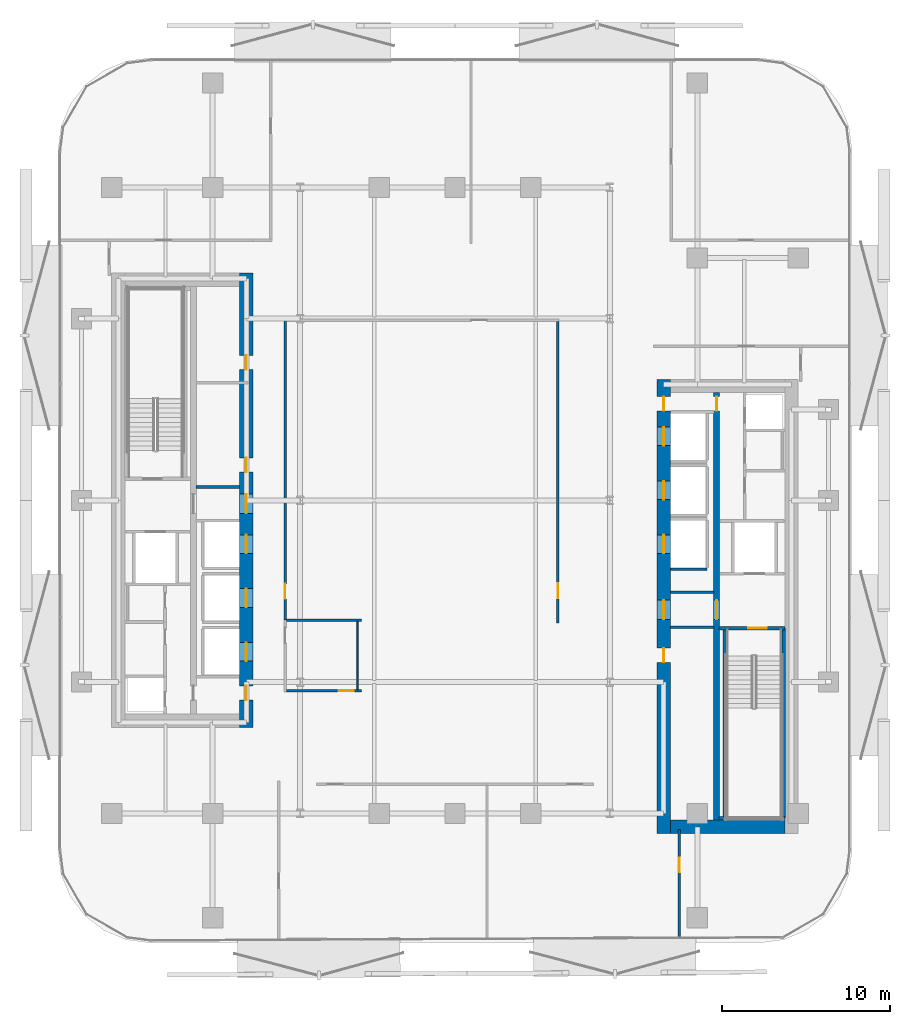
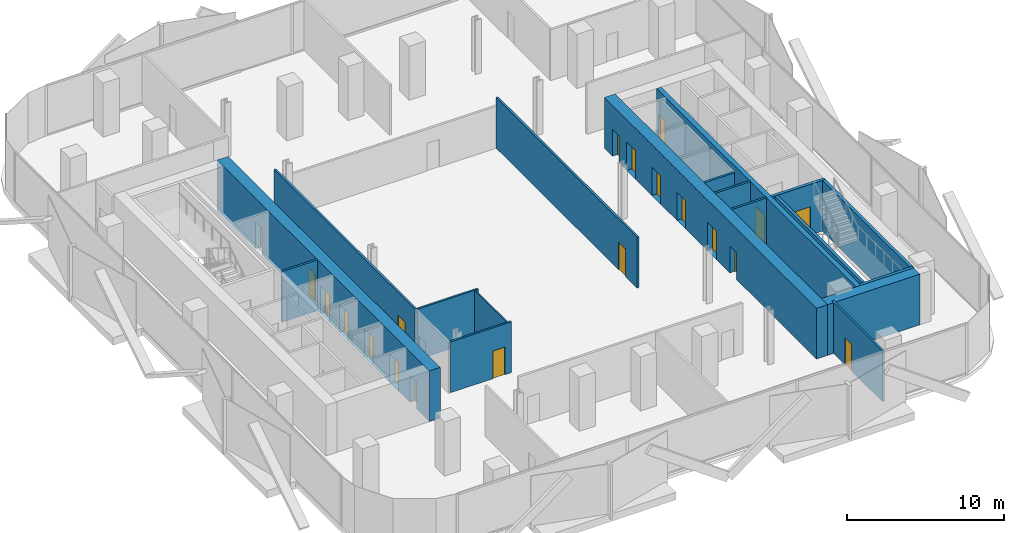
# One storey, part 4 of 15: 20 doors, 18 walls, 20 openings.
"""IFC4 building model written with IfcOpenShell, lengths in metres."""

from ifc_helpers import new_model, si_unit, direction, frame, frame_2d, origin, place, context, subcontext, project, spatial, rectangle, extrude, material, layer, layer_set, type_object, element, fill, save


model = new_model("IFC4")

# Units and contexts
model_context = context("Model", 3, precision=1e-05, world=origin(), true_north=direction((0.0, 1.0)))
body_context = subcontext(model_context, "Body", "Model", "MODEL_VIEW")
ifc_project = project(units=[si_unit("LENGTHUNIT", "METRE"), si_unit("AREAUNIT", "SQUARE_METRE"), si_unit("VOLUMEUNIT", "CUBIC_METRE"), si_unit("PLANEANGLEUNIT", "RADIAN"), si_unit("MASSUNIT", "GRAM", prefix="KILO")], contexts=[model_context])

# Site, building, storey
site_placement = place(None, origin())
site = spatial("IfcSite", under=ifc_project, at=site_placement, CompositionType="ELEMENT")
building_placement = place(site_placement, origin())
building = spatial("IfcBuilding", under=site, at=building_placement, Name="Khairoan Windgate Tower", CompositionType="ELEMENT")
storey_placement = place(building_placement, frame((0.0, 0.0, 143.60009765625)))
storey = spatial("IfcBuildingStorey", under=building, at=storey_placement, Name="L33", CompositionType="ELEMENT", Elevation=143.60009765625)

# Walls
ifc_material_1 = material(Name="Moisture-Resistant Gypsum Partition", Category="gypsum")
ifc_layer_1 = layer(ifc_material_1, 0.10009765625, Name="Moisture-Resistant Gypsum Partition")
ifc_layer_set_1 = layer_set([ifc_layer_1], Name="Moisture-Resistant Gypsum Partition")
wall_type_1 = type_object("IfcWallType", Name="Bathroom Wet-Area Partition Wall", PredefinedType="PARTITIONING", material=ifc_layer_set_1)
wall_1_placement = place(storey_placement, frame((-5.800048828125, -7.18994140625, 0.0), z_axis=(0.0, 0.0, 1.0), x_axis=(0.0, -1.0, 0.0)))
element("IfcWall", 1, at=wall_1_placement, inside=storey, type_object=wall_type_1, Name="L33 Wet Room Side Wall 036", PredefinedType="PARTITIONING", context=body_context, shape_type="SweptSolid", body=[
    extrude(rectangle(XDim=4.05517578125, YDim=0.10009765625, at=frame_2d((2.027587890625, 0.0))), origin(), (0.0, 0.0, 1.0), 3.93994140625),
])
ifc_material_2 = material(Name="Concrete C40/50", Category="concrete")
ifc_layer_2 = layer(ifc_material_2, 0.159912109375, Name="Concrete C40/50")
ifc_layer_set_2 = layer_set([ifc_layer_2], Name="Concrete C40/50")
wall_type_2 = type_object("IfcWallType", Name="Core and Hoistway Enclosure Wall", PredefinedType="STANDARD", material=ifc_layer_set_2)
wall_2_placement = place(storey_placement, frame((12.800048828125, -4.090087890625, 0.0), z_axis=(0.0, 0.0, 1.0), x_axis=(1.0, 0.0, 0.0)))
element("IfcWall", 2, at=wall_2_placement, inside=storey, type_object=wall_type_2, Name="L33 Lift PL9 Hoistway Divider S", PredefinedType="STANDARD", context=body_context, shape_type="SweptSolid", body=[
    extrude(rectangle(XDim=2.18994140625, YDim=0.159912109375, at=frame_2d((1.094970703125, 0.0))), origin(), (0.0, 0.0, 1.0), 3.93994140625),
])
for number, where, z_axis, x_axis, name in (
    (3, (-15.39990234375, 0.800048828125, 0.0), (0.0, 0.0, 1.0), (1.0, 0.0, 0.0), "L33 Core Shaft Wall SW-WV1-L33"),
    (4, (12.800048828125, -5.449951171875, 0.0), (0.0, 0.0, 1.0), (1.0, 0.0, 0.0), "L33 Core Shaft Wall SW-EV1-L33"),
    (5, (12.800048828125, -7.5400390625, 0.0), (0.0, 0.0, 1.0), (1.0, 0.0, 0.0), "L33 Core Shaft Wall SW-EV2-L33"),
):
    element("IfcWall", number, at=place(storey_placement, frame(where, z_axis=z_axis, x_axis=x_axis)), inside=storey, type_object=wall_type_2, Name=name, PredefinedType="STANDARD", context=body_context, shape_type="SweptSolid", body=[
        extrude(rectangle(XDim=2.599853515625, YDim=0.159912109375, at=frame_2d((1.2998046875, 0.0))), origin(), (0.0, 0.0, 1.0), 3.93994140625),
    ])

# Wall, opening, door
ifc_material_3 = material(Name="Acoustic Fire-Rated Gypsum Partition", Category="gypsum")
ifc_layer_3 = layer(ifc_material_3, 0.139892578125, Name="Acoustic Fire-Rated Gypsum Partition")
ifc_layer_set_3 = layer_set([ifc_layer_3], Name="Acoustic Fire-Rated Gypsum Partition")
wall_type_3 = type_object("IfcWallType", Name="Inter-Tenancy Compartment Wall", PredefinedType="PARTITIONING", material=ifc_layer_set_3)
wall_3_placement = place(storey_placement, frame((13.327880859375, -26.001220703125, 0.0), z_axis=(0.0, 0.0, 1.0), x_axis=(0.0, 1.0, 0.0)))
wall_3 = element("IfcWall", 6, at=wall_3_placement, inside=storey, type_object=wall_type_3, Name="L33 Interior Partition 032", PredefinedType="PARTITIONING", context=body_context, shape_type="SweptSolid", body=[
    extrude(rectangle(XDim=6.441162109375, YDim=0.139892578125, at=frame_2d((3.220703125, 0.0))), origin(), (0.0, 0.0, 1.0), 3.93994140625),
])
opening_1_placement = place(wall_3_placement, frame((3.91259765625, 0.0, 0.0)))
opening_1 = element("IfcOpeningElement", 7, at=opening_1_placement, cuts=wall_3, Name="Opening FD-SRV", PredefinedType="OPENING", context=body_context, shape_type="SweptSolid", body=[
    extrude(rectangle(XDim=0.85009765625, YDim=2.10009765625, at=frame_2d((0.425048828125, 1.050048828125))), frame((0.0, 0.079833984375, 0.0), z_axis=(0.0, -1.0, 0.0), x_axis=(1.0, 0.0, 0.0)), (0.0, 0.0, 1.0), 0.159912109375),
])
ifc_material_4 = material(Name="Steel S355", Category="steel")
door_type_1 = type_object("IfcDoorType", Name="Core Service and Riser Fire Door FD-SRV 850x2100", OperationType="NOTDEFINED", PredefinedType="DOOR", material=ifc_material_4)
door_1_placement = place(opening_1_placement, origin())
door_1 = element("IfcDoor", 8, at=door_1_placement, inside=storey, type_object=door_type_1, Name="L33 L33-46-L33-47 Door", OperationType="SINGLE_SWING_RIGHT", OverallHeight=2.10009765625, OverallWidth=0.85009765625, PredefinedType="DOOR", context=body_context, shape_type="SweptSolid", body=[
    extrude(rectangle(XDim=0.85009765625, YDim=2.10009765625, at=frame_2d((0.425048828125, 1.050048828125))), frame((0.0, 0.02490234375, 0.0), z_axis=(0.0, -1.0, 0.0), x_axis=(1.0, 0.0, 0.0)), (0.0, 0.0, 1.0), 0.050048828125),
])
fill(opening_1, door_1)

# Wall
wall_4_placement = place(storey_placement, frame((-10.02490234375, -7.1201171875, 0.0), z_axis=(0.0, 0.0, 1.0), x_axis=(1.0, 0.0, 0.0)))
element("IfcWall", 9, at=wall_4_placement, inside=storey, type_object=wall_type_3, Name="L33 Interior Partition 033", PredefinedType="PARTITIONING", context=body_context, shape_type="SweptSolid", body=[
    extrude(rectangle(XDim=4.46484375, YDim=0.139892578125, at=frame_2d((2.232421875, 0.0))), origin(), (0.0, 0.0, 1.0), 3.93994140625),
])

# Wall, opening, door
ifc_material_5 = material(Name="Acoustic Fire-Rated Gypsum Partition", Category="gypsum")
ifc_layer_4 = layer(ifc_material_5, 0.14990234375, Name="Acoustic Fire-Rated Gypsum Partition")
ifc_layer_set_4 = layer_set([ifc_layer_4], Name="Acoustic Fire-Rated Gypsum Partition")
wall_type_4 = type_object("IfcWallType", Name="Rated Corridor Partition Wall", PredefinedType="PARTITIONING", material=ifc_layer_set_4)
wall_5_placement = place(storey_placement, frame((-10.10009765625, -7.1201171875, 0.0), z_axis=(0.0, 0.0, 1.0), x_axis=(0.0, 1.0, 0.0)))
wall_5 = element("IfcWall", 10, at=wall_5_placement, inside=storey, type_object=wall_type_4, Name="L33 Interior Partition 014", PredefinedType="PARTITIONING", context=body_context, shape_type="SweptSolid", body=[
    extrude(rectangle(XDim=17.9150390625, YDim=0.14990234375, at=frame_2d((8.95751953125, 0.0))), origin(), (0.0, 0.0, 1.0), 3.93994140625),
])
opening_2_placement = place(wall_5_placement, frame((1.264892578125, 0.0, 0.0)))
opening_2 = element("IfcOpeningElement", 11, at=opening_2_placement, cuts=wall_5, Name="Opening FD-ENT", PredefinedType="OPENING", context=body_context, shape_type="SweptSolid", body=[
    extrude(rectangle(XDim=0.89990234375, YDim=2.14990234375, at=frame_2d((0.449951171875, 1.074951171875))), frame((0.0, 0.0849609375, 0.0), z_axis=(0.0, -1.0, 0.0), x_axis=(1.0, 0.0, 0.0)), (0.0, 0.0, 1.0), 0.169921875),
])
ifc_material_6 = material(Name="Timber Fire-Rated Core", Category="wood")
door_type_2 = type_object("IfcDoorType", Name="Unit and Office Fire Entrance Door FD-ENT 900x2150", OperationType="NOTDEFINED", PredefinedType="DOOR", material=ifc_material_6)
door_2_placement = place(opening_2_placement, origin())
door_2 = element("IfcDoor", 12, at=door_2_placement, inside=storey, type_object=door_type_2, Name="L33 L33-28-L33-49 Door", OperationType="SINGLE_SWING_RIGHT", OverallHeight=2.14990234375, OverallWidth=0.89990234375, PredefinedType="DOOR", context=body_context, shape_type="SweptSolid", body=[
    extrude(rectangle(XDim=0.89990234375, YDim=2.14990234375, at=frame_2d((0.449951171875, 1.074951171875))), frame((0.0, 0.02490234375, 0.0), z_axis=(0.0, -1.0, 0.0), x_axis=(1.0, 0.0, 0.0)), (0.0, 0.0, 1.0), 0.050048828125),
])
fill(opening_2, door_2)

wall_6_placement = place(storey_placement, frame((-10.02490234375, -11.320068359375, 0.0), z_axis=(0.0, 0.0, 1.0), x_axis=(1.0, 0.0, 0.0)))
wall_6 = element("IfcWall", 13, at=wall_6_placement, inside=storey, type_object=wall_type_4, Name="L33 Interior Partition 016", PredefinedType="PARTITIONING", context=body_context, shape_type="SweptSolid", body=[
    extrude(rectangle(XDim=4.46484375, YDim=0.14990234375, at=frame_2d((2.232421875, 0.0))), origin(), (0.0, 0.0, 1.0), 3.93994140625),
])
opening_3_placement = place(wall_6_placement, frame((3.10498046875, 0.0, 0.0)))
opening_3 = element("IfcOpeningElement", 14, at=opening_3_placement, cuts=wall_6, Name="Opening FD-ENT", PredefinedType="OPENING", context=body_context, shape_type="SweptSolid", body=[
    extrude(rectangle(XDim=0.89990234375, YDim=2.14990234375, at=frame_2d((0.449951171875, 1.074951171875))), frame((0.0, 0.0849609375, 0.0), z_axis=(0.0, -1.0, 0.0), x_axis=(1.0, 0.0, 0.0)), (0.0, 0.0, 1.0), 0.169921875),
])
door_3_placement = place(opening_3_placement, origin())
door_3 = element("IfcDoor", 15, at=door_3_placement, inside=storey, type_object=door_type_2, Name="L33 L33-31-L33-48 Door", OperationType="SINGLE_SWING_RIGHT", OverallHeight=2.14990234375, OverallWidth=0.89990234375, PredefinedType="DOOR", context=body_context, shape_type="SweptSolid", body=[
    extrude(rectangle(XDim=0.89990234375, YDim=2.14990234375, at=frame_2d((0.449951171875, 1.074951171875))), frame((0.0, 0.02490234375, 0.0), z_axis=(0.0, -1.0, 0.0), x_axis=(1.0, 0.0, 0.0)), (0.0, 0.0, 1.0), 0.050048828125),
])
fill(opening_3, door_3)

wall_7_placement = place(storey_placement, frame((6.1201171875, -7.280029296875, 0.0), z_axis=(0.0, 0.0, 1.0), x_axis=(0.0, 1.0, 0.0)))
wall_7 = element("IfcWall", 16, at=wall_7_placement, inside=storey, type_object=wall_type_4, Name="L33 Interior Partition 017", PredefinedType="PARTITIONING", context=body_context, shape_type="SweptSolid", body=[
    extrude(rectangle(XDim=17.925048828125, YDim=0.14990234375, at=frame_2d((8.96240234375, 0.0))), origin(), (0.0, 0.0, 1.0), 3.93994140625),
])
opening_4_placement = place(wall_7_placement, frame((1.466552734375, 0.0, 0.0)))
opening_4 = element("IfcOpeningElement", 17, at=opening_4_placement, cuts=wall_7, Name="Opening FD-ENT", PredefinedType="OPENING", context=body_context, shape_type="SweptSolid", body=[
    extrude(rectangle(XDim=0.89990234375, YDim=2.14990234375, at=frame_2d((0.449951171875, 1.074951171875))), frame((0.0, 0.0849609375, 0.0), z_axis=(0.0, -1.0, 0.0), x_axis=(1.0, 0.0, 0.0)), (0.0, 0.0, 1.0), 0.169921875),
])
door_4_placement = place(opening_4_placement, origin())
door_4 = element("IfcDoor", 18, at=door_4_placement, inside=storey, type_object=door_type_2, Name="L33 L33-32-L33-49 Door", OperationType="SINGLE_SWING_LEFT", OverallHeight=2.14990234375, OverallWidth=0.89990234375, PredefinedType="DOOR", context=body_context, shape_type="SweptSolid", body=[
    extrude(rectangle(XDim=0.89990234375, YDim=2.14990234375, at=frame_2d((0.449951171875, 1.074951171875))), frame((0.0, 0.02490234375, 0.0), z_axis=(0.0, -1.0, 0.0), x_axis=(1.0, 0.0, 0.0)), (0.0, 0.0, 1.0), 0.050048828125),
])
fill(opening_4, door_4)

# Wall, openings, doors
ifc_material_7 = material(Name="Concrete C70/85", Category="concrete")
ifc_layer_5 = layer(ifc_material_7, 0.800048828125, Name="Concrete C70/85")
ifc_layer_set_5 = layer_set([ifc_layer_5], Name="Concrete C70/85")
wall_type_5 = type_object("IfcWallType", Name="Shear Wall CW-E1 800mm", PredefinedType="SHEAR", material=ifc_layer_set_5)
wall_8_placement = place(storey_placement, frame((12.39990234375, -19.800048828125, 0.0), z_axis=(0.0, 0.0, 1.0), x_axis=(0.0, 1.0, 0.0)))
wall_8 = element("IfcWall", 19, at=wall_8_placement, inside=storey, type_object=wall_type_5, Name="E Core West Shear Wall L33", PredefinedType="SHEAR", context=body_context, shape_type="SweptSolid", body=[
    extrude(rectangle(XDim=27.0, YDim=0.800048828125, at=frame_2d((13.5, 0.0))), origin(), (0.0, 0.0, 1.0), 3.93994140625),
])
opening_5_placement = place(wall_8_placement, frame((23.050048828125, 0.0, 0.0)))
opening_5 = element("IfcOpeningElement", 20, at=opening_5_placement, cuts=wall_8, Name="Opening LD-PL", PredefinedType="OPENING", context=body_context, shape_type="SweptSolid", body=[
    extrude(rectangle(XDim=1.10009765625, YDim=2.199951171875, at=frame_2d((0.550048828125, 1.10009765625))), frame((0.0, 0.409912109375, 0.0), z_axis=(0.0, -1.0, 0.0), x_axis=(1.0, 0.0, 0.0)), (0.0, 0.0, 1.0), 0.820068359375),
])
opening_6_placement = place(wall_8_placement, frame((19.85009765625, 0.0, 0.0)))
opening_6 = element("IfcOpeningElement", 21, at=opening_6_placement, cuts=wall_8, Name="Opening LD-PL", PredefinedType="OPENING", context=body_context, shape_type="SweptSolid", body=[
    extrude(rectangle(XDim=1.10009765625, YDim=2.199951171875, at=frame_2d((0.550048828125, 1.10009765625))), frame((0.0, 0.409912109375, 0.0), z_axis=(0.0, -1.0, 0.0), x_axis=(1.0, 0.0, 0.0)), (0.0, 0.0, 1.0), 0.820068359375),
])
opening_7_placement = place(wall_8_placement, frame((16.64990234375, 0.0, 0.0)))
opening_7 = element("IfcOpeningElement", 22, at=opening_7_placement, cuts=wall_8, Name="Opening LD-PL", PredefinedType="OPENING", context=body_context, shape_type="SweptSolid", body=[
    extrude(rectangle(XDim=1.10009765625, YDim=2.199951171875, at=frame_2d((0.550048828125, 1.10009765625))), frame((0.0, 0.409912109375, 0.0), z_axis=(0.0, -1.0, 0.0), x_axis=(1.0, 0.0, 0.0)), (0.0, 0.0, 1.0), 0.820068359375),
])
opening_8_placement = place(wall_8_placement, frame((10.175048828125, 0.0, 0.0)))
opening_8 = element("IfcOpeningElement", 23, at=opening_8_placement, cuts=wall_8, Name="Opening FD-SRV", PredefinedType="OPENING", context=body_context, shape_type="SweptSolid", body=[
    extrude(rectangle(XDim=0.85009765625, YDim=2.10009765625, at=frame_2d((0.425048828125, 1.050048828125))), frame((0.0, 0.409912109375, 0.0), z_axis=(0.0, -1.0, 0.0), x_axis=(1.0, 0.0, 0.0)), (0.0, 0.0, 1.0), 0.820068359375),
])
opening_9_placement = place(wall_8_placement, frame((12.72509765625, 0.0, 0.0)))
opening_9 = element("IfcOpeningElement", 24, at=opening_9_placement, cuts=wall_8, Name="Opening FD-FFL", PredefinedType="OPENING", context=body_context, shape_type="SweptSolid", body=[
    extrude(rectangle(XDim=1.14990234375, YDim=2.199951171875, at=frame_2d((0.574951171875, 1.10009765625))), frame((0.0, 0.409912109375, 0.0), z_axis=(0.0, -1.0, 0.0), x_axis=(1.0, 0.0, 0.0)), (0.0, 0.0, 1.0), 0.820068359375),
])
opening_10_placement = place(wall_8_placement, frame((25.125, 0.0, 0.0)))
opening_10 = element("IfcOpeningElement", 25, at=opening_10_placement, cuts=wall_8, Name="Opening FD-SRV", PredefinedType="OPENING", context=body_context, shape_type="SweptSolid", body=[
    extrude(rectangle(XDim=0.85009765625, YDim=2.10009765625, at=frame_2d((0.425048828125, 1.050048828125))), frame((0.0, 0.409912109375, 0.0), z_axis=(0.0, -1.0, 0.0), x_axis=(1.0, 0.0, 0.0)), (0.0, 0.0, 1.0), 0.820068359375),
])
door_5_placement = place(opening_8_placement, origin())
door_5 = element("IfcDoor", 26, at=door_5_placement, inside=storey, type_object=door_type_1, Name="L33 East Core Service Room Door 1", OperationType="SINGLE_SWING_LEFT", OverallHeight=2.10009765625, OverallWidth=0.85009765625, PredefinedType="DOOR", context=body_context, shape_type="SweptSolid", body=[
    extrude(rectangle(XDim=0.85009765625, YDim=2.10009765625, at=frame_2d((0.425048828125, 1.050048828125))), frame((0.0, 0.02490234375, 0.0), z_axis=(0.0, -1.0, 0.0), x_axis=(1.0, 0.0, 0.0)), (0.0, 0.0, 1.0), 0.050048828125),
])
fill(opening_8, door_5)
door_6_placement = place(opening_10_placement, origin())
door_6 = element("IfcDoor", 27, at=door_6_placement, inside=storey, type_object=door_type_1, Name="L33 East Core Service Vestibule Outer Door", OperationType="SINGLE_SWING_RIGHT", OverallHeight=2.10009765625, OverallWidth=0.85009765625, PredefinedType="DOOR", context=body_context, shape_type="SweptSolid", body=[
    extrude(rectangle(XDim=0.85009765625, YDim=2.10009765625, at=frame_2d((0.425048828125, 1.050048828125))), frame((0.0, 0.02490234375, 0.0), z_axis=(0.0, -1.0, 0.0), x_axis=(1.0, 0.0, 0.0)), (0.0, 0.0, 1.0), 0.050048828125),
])
fill(opening_10, door_6)
ifc_material_8 = material(Name="Steel S355", Category="steel")
door_type_3 = type_object("IfcDoorType", Name="Firefighting Lobby Fire Door FD-FFL 1150x2200", OperationType="NOTDEFINED", PredefinedType="DOOR", material=ifc_material_8)
door_7_placement = place(opening_9_placement, origin())
door_7 = element("IfcDoor", 28, at=door_7_placement, inside=storey, type_object=door_type_3, Name="L33 East Core Vestibule Entry Door", OperationType="SINGLE_SWING_RIGHT", OverallHeight=2.199951171875, OverallWidth=1.14990234375, PredefinedType="DOOR", context=body_context, shape_type="SweptSolid", body=[
    extrude(rectangle(XDim=1.14990234375, YDim=2.199951171875, at=frame_2d((0.574951171875, 1.10009765625))), frame((0.0, 0.02490234375, 0.0), z_axis=(0.0, -1.0, 0.0), x_axis=(1.0, 0.0, 0.0)), (0.0, 0.0, 1.0), 0.050048828125),
])
fill(opening_9, door_7)
ifc_material_9 = material(Name="Anodised Bronze Aluminium 6063-T6", Category="aluminium")
door_type_4 = type_object("IfcDoorType", Name="Passenger Lift Sliding Landing Door LD-PL 1100x2200", OperationType="DOUBLE_DOOR_SLIDING", PredefinedType="DOOR", material=ifc_material_9)
door_8_placement = place(opening_5_placement, origin())
door_8 = element("IfcDoor", 29, at=door_8_placement, inside=storey, type_object=door_type_4, Name="L33 Lift PL7 Sliding Landing Door", OperationType="DOUBLE_DOOR_SLIDING", OverallHeight=2.199951171875, OverallWidth=1.10009765625, PredefinedType="DOOR", context=body_context, shape_type="SweptSolid", body=[
    extrude(rectangle(XDim=1.10009765625, YDim=2.199951171875, at=frame_2d((0.550048828125, 1.10009765625))), frame((0.0, 0.02490234375, 0.0), z_axis=(0.0, -1.0, 0.0), x_axis=(1.0, 0.0, 0.0)), (0.0, 0.0, 1.0), 0.050048828125),
])
fill(opening_5, door_8)
door_9_placement = place(opening_6_placement, origin())
door_9 = element("IfcDoor", 30, at=door_9_placement, inside=storey, type_object=door_type_4, Name="L33 Lift PL8 Sliding Landing Door", OperationType="DOUBLE_DOOR_SLIDING", OverallHeight=2.199951171875, OverallWidth=1.10009765625, PredefinedType="DOOR", context=body_context, shape_type="SweptSolid", body=[
    extrude(rectangle(XDim=1.10009765625, YDim=2.199951171875, at=frame_2d((0.550048828125, 1.10009765625))), frame((0.0, 0.02490234375, 0.0), z_axis=(0.0, -1.0, 0.0), x_axis=(1.0, 0.0, 0.0)), (0.0, 0.0, 1.0), 0.050048828125),
])
fill(opening_6, door_9)
door_10_placement = place(opening_7_placement, origin())
door_10 = element("IfcDoor", 31, at=door_10_placement, inside=storey, type_object=door_type_4, Name="L33 Lift PL9 Sliding Landing Door", OperationType="DOUBLE_DOOR_SLIDING", OverallHeight=2.199951171875, OverallWidth=1.10009765625, PredefinedType="DOOR", context=body_context, shape_type="SweptSolid", body=[
    extrude(rectangle(XDim=1.10009765625, YDim=2.199951171875, at=frame_2d((0.550048828125, 1.10009765625))), frame((0.0, 0.02490234375, 0.0), z_axis=(0.0, -1.0, 0.0), x_axis=(1.0, 0.0, 0.0)), (0.0, 0.0, 1.0), 0.050048828125),
])
fill(opening_7, door_10)

# Wall
wall_9_placement = place(storey_placement, frame((12.800048828125, -19.39990234375, 0.0), z_axis=(0.0, 0.0, 1.0), x_axis=(1.0, 0.0, 0.0)))
element("IfcWall", 32, at=wall_9_placement, inside=storey, type_object=wall_type_5, Name="E Core South Shear Wall L33", PredefinedType="SHEAR", context=body_context, shape_type="SweptSolid", body=[
    extrude(rectangle(XDim=6.800048828125, YDim=0.800048828125, at=frame_2d((3.39990234375, 0.0))), origin(), (0.0, 0.0, 1.0), 3.93994140625),
])

# Wall, openings, doors
ifc_material_10 = material(Name="Concrete C70/85", Category="concrete")
ifc_layer_6 = layer(ifc_material_10, 0.800048828125, Name="Concrete C70/85")
ifc_layer_set_6 = layer_set([ifc_layer_6], Name="Concrete C70/85")
wall_type_6 = type_object("IfcWallType", Name="Shear Wall CW-W1 800mm", PredefinedType="SHEAR", material=ifc_layer_set_6)
wall_10_placement = place(storey_placement, frame((-12.39990234375, -13.5, 0.0), z_axis=(0.0, 0.0, 1.0), x_axis=(0.0, 1.0, 0.0)))
wall_10 = element("IfcWall", 33, at=wall_10_placement, inside=storey, type_object=wall_type_6, Name="W Core East Shear Wall L33", PredefinedType="SHEAR", context=body_context, shape_type="SweptSolid", body=[
    extrude(rectangle(XDim=27.0, YDim=0.800048828125, at=frame_2d((13.5, 0.0))), origin(), (0.0, 0.0, 1.0), 3.93994140625),
])
opening_11_placement = place(wall_10_placement, frame((10.35009765625, 0.0, 0.0)))
opening_11 = element("IfcOpeningElement", 34, at=opening_11_placement, cuts=wall_10, Name="Opening LD-PL", PredefinedType="OPENING", context=body_context, shape_type="SweptSolid", body=[
    extrude(rectangle(XDim=1.10009765625, YDim=2.199951171875, at=frame_2d((0.550048828125, 1.10009765625))), frame((0.0, 0.409912109375, 0.0), z_axis=(0.0, -1.0, 0.0), x_axis=(1.0, 0.0, 0.0)), (0.0, 0.0, 1.0), 0.820068359375),
])
opening_12_placement = place(wall_10_placement, frame((7.14990234375, 0.0, 0.0)))
opening_12 = element("IfcOpeningElement", 35, at=opening_12_placement, cuts=wall_10, Name="Opening LD-PL", PredefinedType="OPENING", context=body_context, shape_type="SweptSolid", body=[
    extrude(rectangle(XDim=1.10009765625, YDim=2.199951171875, at=frame_2d((0.550048828125, 1.10009765625))), frame((0.0, 0.409912109375, 0.0), z_axis=(0.0, -1.0, 0.0), x_axis=(1.0, 0.0, 0.0)), (0.0, 0.0, 1.0), 0.820068359375),
])
opening_13_placement = place(wall_10_placement, frame((3.949951171875, 0.0, 0.0)))
opening_13 = element("IfcOpeningElement", 36, at=opening_13_placement, cuts=wall_10, Name="Opening LD-PL", PredefinedType="OPENING", context=body_context, shape_type="SweptSolid", body=[
    extrude(rectangle(XDim=1.10009765625, YDim=2.199951171875, at=frame_2d((0.550048828125, 1.10009765625))), frame((0.0, 0.409912109375, 0.0), z_axis=(0.0, -1.0, 0.0), x_axis=(1.0, 0.0, 0.0)), (0.0, 0.0, 1.0), 0.820068359375),
])
opening_14_placement = place(wall_10_placement, frame((15.175048828125, 0.0, 0.0)))
opening_14 = element("IfcOpeningElement", 37, at=opening_14_placement, cuts=wall_10, Name="Opening FD-SRV", PredefinedType="OPENING", context=body_context, shape_type="SweptSolid", body=[
    extrude(rectangle(XDim=0.85009765625, YDim=2.10009765625, at=frame_2d((0.425048828125, 1.050048828125))), frame((0.0, 0.409912109375, 0.0), z_axis=(0.0, -1.0, 0.0), x_axis=(1.0, 0.0, 0.0)), (0.0, 0.0, 1.0), 0.820068359375),
])
opening_15_placement = place(wall_10_placement, frame((21.27490234375, 0.0, 0.0)))
opening_15 = element("IfcOpeningElement", 38, at=opening_15_placement, cuts=wall_10, Name="Opening FD-SRV", PredefinedType="OPENING", context=body_context, shape_type="SweptSolid", body=[
    extrude(rectangle(XDim=0.85009765625, YDim=2.10009765625, at=frame_2d((0.425048828125, 1.050048828125))), frame((0.0, 0.409912109375, 0.0), z_axis=(0.0, -1.0, 0.0), x_axis=(1.0, 0.0, 0.0)), (0.0, 0.0, 1.0), 0.820068359375),
])
opening_16_placement = place(wall_10_placement, frame((12.72509765625, 0.0, 0.0)))
opening_16 = element("IfcOpeningElement", 39, at=opening_16_placement, cuts=wall_10, Name="Opening FD-FFL", PredefinedType="OPENING", context=body_context, shape_type="SweptSolid", body=[
    extrude(rectangle(XDim=1.14990234375, YDim=2.199951171875, at=frame_2d((0.574951171875, 1.10009765625))), frame((0.0, 0.409912109375, 0.0), z_axis=(0.0, -1.0, 0.0), x_axis=(1.0, 0.0, 0.0)), (0.0, 0.0, 1.0), 0.820068359375),
])
opening_17_placement = place(wall_10_placement, frame((1.625, 0.0, 0.0)))
opening_17 = element("IfcOpeningElement", 40, at=opening_17_placement, cuts=wall_10, Name="Opening FD-SRV", PredefinedType="OPENING", context=body_context, shape_type="SweptSolid", body=[
    extrude(rectangle(XDim=0.85009765625, YDim=2.10009765625, at=frame_2d((0.425048828125, 1.050048828125))), frame((0.0, 0.409912109375, 0.0), z_axis=(0.0, -1.0, 0.0), x_axis=(1.0, 0.0, 0.0)), (0.0, 0.0, 1.0), 0.820068359375),
])
door_11_placement = place(opening_14_placement, origin())
door_11 = element("IfcDoor", 41, at=door_11_placement, inside=storey, type_object=door_type_1, Name="L33 Upper Core Room Door B1-1", OperationType="SINGLE_SWING_LEFT", OverallHeight=2.10009765625, OverallWidth=0.85009765625, PredefinedType="DOOR", context=body_context, shape_type="SweptSolid", body=[
    extrude(rectangle(XDim=0.85009765625, YDim=2.10009765625, at=frame_2d((0.425048828125, 1.050048828125))), frame((0.0, 0.02490234375, 0.0), z_axis=(0.0, -1.0, 0.0), x_axis=(1.0, 0.0, 0.0)), (0.0, 0.0, 1.0), 0.050048828125),
])
fill(opening_14, door_11)
door_12_placement = place(opening_15_placement, origin())
door_12 = element("IfcDoor", 42, at=door_12_placement, inside=storey, type_object=door_type_1, Name="L33 Upper Core Room Door B1-2", OperationType="SINGLE_SWING_RIGHT", OverallHeight=2.10009765625, OverallWidth=0.85009765625, PredefinedType="DOOR", context=body_context, shape_type="SweptSolid", body=[
    extrude(rectangle(XDim=0.85009765625, YDim=2.10009765625, at=frame_2d((0.425048828125, 1.050048828125))), frame((0.0, 0.02490234375, 0.0), z_axis=(0.0, -1.0, 0.0), x_axis=(1.0, 0.0, 0.0)), (0.0, 0.0, 1.0), 0.050048828125),
])
fill(opening_15, door_12)
door_13_placement = place(opening_17_placement, origin())
door_13 = element("IfcDoor", 43, at=door_13_placement, inside=storey, type_object=door_type_1, Name="L33 West Core Service Vestibule Outer Door", OperationType="SINGLE_SWING_RIGHT", OverallHeight=2.10009765625, OverallWidth=0.85009765625, PredefinedType="DOOR", context=body_context, shape_type="SweptSolid", body=[
    extrude(rectangle(XDim=0.85009765625, YDim=2.10009765625, at=frame_2d((0.425048828125, 1.050048828125))), frame((0.0, 0.02490234375, 0.0), z_axis=(0.0, -1.0, 0.0), x_axis=(1.0, 0.0, 0.0)), (0.0, 0.0, 1.0), 0.050048828125),
])
fill(opening_17, door_13)
door_14_placement = place(opening_16_placement, origin())
door_14 = element("IfcDoor", 44, at=door_14_placement, inside=storey, type_object=door_type_3, Name="L33 West Core Vestibule Entry Door", OperationType="SINGLE_SWING_RIGHT", OverallHeight=2.199951171875, OverallWidth=1.14990234375, PredefinedType="DOOR", context=body_context, shape_type="SweptSolid", body=[
    extrude(rectangle(XDim=1.14990234375, YDim=2.199951171875, at=frame_2d((0.574951171875, 1.10009765625))), frame((0.0, 0.02490234375, 0.0), z_axis=(0.0, -1.0, 0.0), x_axis=(1.0, 0.0, 0.0)), (0.0, 0.0, 1.0), 0.050048828125),
])
fill(opening_16, door_14)
door_15_placement = place(opening_11_placement, origin())
door_15 = element("IfcDoor", 45, at=door_15_placement, inside=storey, type_object=door_type_4, Name="L33 Lift PL4 Sliding Landing Door", OperationType="DOUBLE_DOOR_SLIDING", OverallHeight=2.199951171875, OverallWidth=1.10009765625, PredefinedType="DOOR", context=body_context, shape_type="SweptSolid", body=[
    extrude(rectangle(XDim=1.10009765625, YDim=2.199951171875, at=frame_2d((0.550048828125, 1.10009765625))), frame((0.0, 0.02490234375, 0.0), z_axis=(0.0, -1.0, 0.0), x_axis=(1.0, 0.0, 0.0)), (0.0, 0.0, 1.0), 0.050048828125),
])
fill(opening_11, door_15)
door_16_placement = place(opening_12_placement, origin())
door_16 = element("IfcDoor", 46, at=door_16_placement, inside=storey, type_object=door_type_4, Name="L33 Lift PL5 Sliding Landing Door", OperationType="DOUBLE_DOOR_SLIDING", OverallHeight=2.199951171875, OverallWidth=1.10009765625, PredefinedType="DOOR", context=body_context, shape_type="SweptSolid", body=[
    extrude(rectangle(XDim=1.10009765625, YDim=2.199951171875, at=frame_2d((0.550048828125, 1.10009765625))), frame((0.0, 0.02490234375, 0.0), z_axis=(0.0, -1.0, 0.0), x_axis=(1.0, 0.0, 0.0)), (0.0, 0.0, 1.0), 0.050048828125),
])
fill(opening_12, door_16)
door_17_placement = place(opening_13_placement, origin())
door_17 = element("IfcDoor", 47, at=door_17_placement, inside=storey, type_object=door_type_4, Name="L33 Lift PL6 Sliding Landing Door", OperationType="DOUBLE_DOOR_SLIDING", OverallHeight=2.199951171875, OverallWidth=1.10009765625, PredefinedType="DOOR", context=body_context, shape_type="SweptSolid", body=[
    extrude(rectangle(XDim=1.10009765625, YDim=2.199951171875, at=frame_2d((0.550048828125, 1.10009765625))), frame((0.0, 0.02490234375, 0.0), z_axis=(0.0, -1.0, 0.0), x_axis=(1.0, 0.0, 0.0)), (0.0, 0.0, 1.0), 0.050048828125),
])
fill(opening_13, door_17)

ifc_material_11 = material(Name="Concrete C60/75", Category="concrete")
ifc_layer_7 = layer(ifc_material_11, 0.35009765625, Name="Concrete C60/75")
ifc_layer_set_7 = layer_set([ifc_layer_7], Name="Concrete C60/75")
wall_type_7 = type_object("IfcWallType", Name="Shear Wall SW-1 350mm", PredefinedType="SHEAR", material=ifc_layer_set_7)
wall_11_placement = place(storey_placement, frame((15.550048828125, -19.0, 0.0), z_axis=(0.0, 0.0, 1.0), x_axis=(0.0, 1.0, 0.0)))
wall_11 = element("IfcWall", 48, at=wall_11_placement, inside=storey, type_object=wall_type_7, Name="E Core Spine Shear Wall L33", PredefinedType="SHEAR", context=body_context, shape_type="SweptSolid", body=[
    extrude(rectangle(XDim=25.39990234375, YDim=0.35009765625, at=frame_2d((12.699951171875, 0.0))), origin(), (0.0, 0.0, 1.0), 3.93994140625),
])
opening_18_placement = place(wall_11_placement, frame((11.925048828125, 0.0, 0.0)))
opening_18 = element("IfcOpeningElement", 49, at=opening_18_placement, cuts=wall_11, Name="Opening FD-FFL", PredefinedType="OPENING", context=body_context, shape_type="SweptSolid", body=[
    extrude(rectangle(XDim=1.14990234375, YDim=2.199951171875, at=frame_2d((0.574951171875, 1.10009765625))), frame((0.0, 0.18505859375, 0.0), z_axis=(0.0, -1.0, 0.0), x_axis=(1.0, 0.0, 0.0)), (0.0, 0.0, 1.0), 0.3701171875),
])
opening_19_placement = place(wall_11_placement, frame((24.324951171875, 0.0, 0.0)))
opening_19 = element("IfcOpeningElement", 50, at=opening_19_placement, cuts=wall_11, Name="Opening FD-SRV", PredefinedType="OPENING", context=body_context, shape_type="SweptSolid", body=[
    extrude(rectangle(XDim=0.85009765625, YDim=2.10009765625, at=frame_2d((0.425048828125, 1.050048828125))), frame((0.0, 0.18505859375, 0.0), z_axis=(0.0, -1.0, 0.0), x_axis=(1.0, 0.0, 0.0)), (0.0, 0.0, 1.0), 0.3701171875),
])
door_18_placement = place(opening_19_placement, origin())
door_18 = element("IfcDoor", 51, at=door_18_placement, inside=storey, type_object=door_type_1, Name="L33 East Core Service Passage Inner Door", OperationType="SINGLE_SWING_LEFT", OverallHeight=2.10009765625, OverallWidth=0.85009765625, PredefinedType="DOOR", context=body_context, shape_type="SweptSolid", body=[
    extrude(rectangle(XDim=0.85009765625, YDim=2.10009765625, at=frame_2d((0.425048828125, 1.050048828125))), frame((0.0, 0.02490234375, 0.0), z_axis=(0.0, -1.0, 0.0), x_axis=(1.0, 0.0, 0.0)), (0.0, 0.0, 1.0), 0.050048828125),
])
fill(opening_19, door_18)
door_19_placement = place(opening_18_placement, origin())
door_19 = element("IfcDoor", 52, at=door_19_placement, inside=storey, type_object=door_type_3, Name="L33 East Firefighting Lobby Fire Door", OperationType="SINGLE_SWING_LEFT", OverallHeight=2.199951171875, OverallWidth=1.14990234375, PredefinedType="DOOR", context=body_context, shape_type="SweptSolid", body=[
    extrude(rectangle(XDim=1.14990234375, YDim=2.199951171875, at=frame_2d((0.574951171875, 1.10009765625))), frame((0.0, 0.02490234375, 0.0), z_axis=(0.0, -1.0, 0.0), x_axis=(1.0, 0.0, 0.0)), (0.0, 0.0, 1.0), 0.050048828125),
])
fill(opening_18, door_19)

# Walls
ifc_material_12 = material(Name="Concrete C50/60", Category="concrete")
ifc_layer_8 = layer(ifc_material_12, 0.219970703125, Name="Concrete C50/60")
ifc_layer_set_8 = layer_set([ifc_layer_8], Name="Concrete C50/60")
wall_type_8 = type_object("IfcWallType", Name="Shear Wall SW-ST 220mm", PredefinedType="SHEAR", material=ifc_layer_set_8)
for number, where, z_axis, x_axis, name in (
    (53, (16.0400390625, -18.889892578125, 0.0), (0.0, 0.0, 1.0), (0.0, 1.0, 0.0), "L33 Stair ST1 West Bearing Wall"),
    (54, (19.530029296875, -18.889892578125, 0.0), (0.0, 0.0, 1.0), (0.0, 1.0, 0.0), "L33 Stair ST1 East Bearing Wall"),
):
    element("IfcWall", number, at=place(storey_placement, frame(where, z_axis=z_axis, x_axis=x_axis)), inside=storey, type_object=wall_type_8, Name=name, PredefinedType="SHEAR", context=body_context, shape_type="SweptSolid", body=[
        extrude(rectangle(XDim=11.2998046875, YDim=0.219970703125, at=frame_2d((5.64990234375, 0.0))), origin(), (0.0, 0.0, 1.0), 3.93994140625),
    ])
wall_12_placement = place(storey_placement, frame((15.705078125, -18.889892578125, 0.0), z_axis=(0.0, 0.0, 1.0), x_axis=(1.0, 0.0, 0.0)))
element("IfcWall", 55, at=wall_12_placement, inside=storey, type_object=wall_type_8, Name="L33 Stair ST1 South Bearing Wall", PredefinedType="SHEAR", context=body_context, shape_type="SweptSolid", body=[
    extrude(rectangle(XDim=3.9150390625, YDim=0.219970703125, at=frame_2d((1.95751953125, 0.0))), origin(), (0.0, 0.0, 1.0), 3.93994140625),
])

# Wall, opening, door
wall_13_placement = place(storey_placement, frame((19.6201171875, -7.590087890625, 0.0), z_axis=(0.0, 0.0, 1.0), x_axis=(-1.0, 0.0, 0.0)))
wall_13 = element("IfcWall", 56, at=wall_13_placement, inside=storey, type_object=wall_type_8, Name="L33 Stair ST1 North Bearing Wall", PredefinedType="SHEAR", context=body_context, shape_type="SweptSolid", body=[
    extrude(rectangle(XDim=3.9150390625, YDim=0.219970703125, at=frame_2d((1.95751953125, 0.0))), origin(), (0.0, 0.0, 1.0), 3.93994140625),
])
opening_20_placement = place(wall_13_placement, frame((1.080078125, 0.0, 0.0)))
opening_20 = element("IfcOpeningElement", 57, at=opening_20_placement, cuts=wall_13, Name="Opening FD-ST", PredefinedType="OPENING", context=body_context, shape_type="SweptSolid", body=[
    extrude(rectangle(XDim=1.10009765625, YDim=2.199951171875, at=frame_2d((0.550048828125, 1.10009765625))), frame((0.0, 0.119873046875, 0.0), z_axis=(0.0, -1.0, 0.0), x_axis=(1.0, 0.0, 0.0)), (0.0, 0.0, 1.0), 0.239990234375),
])
ifc_material_13 = material(Name="Steel S355", Category="steel")
door_type_5 = type_object("IfcDoorType", Name="Smokeproof Stair Fire Door FD-ST 1100x2200", OperationType="NOTDEFINED", PredefinedType="DOOR", material=ifc_material_13)
door_20_placement = place(opening_20_placement, origin())
door_20 = element("IfcDoor", 58, at=door_20_placement, inside=storey, type_object=door_type_5, Name="L33 Stair ST1 Fire Door", OperationType="SINGLE_SWING_LEFT", OverallHeight=2.199951171875, OverallWidth=1.10009765625, PredefinedType="DOOR", context=body_context, shape_type="SweptSolid", body=[
    extrude(rectangle(XDim=1.10009765625, YDim=2.199951171875, at=frame_2d((0.550048828125, 1.10009765625))), frame((0.0, 0.02490234375, 0.0), z_axis=(0.0, -1.0, 0.0), x_axis=(1.0, 0.0, 0.0)), (0.0, 0.0, 1.0), 0.050048828125),
])
fill(opening_20, door_20)

save(model, "model.ifc")
